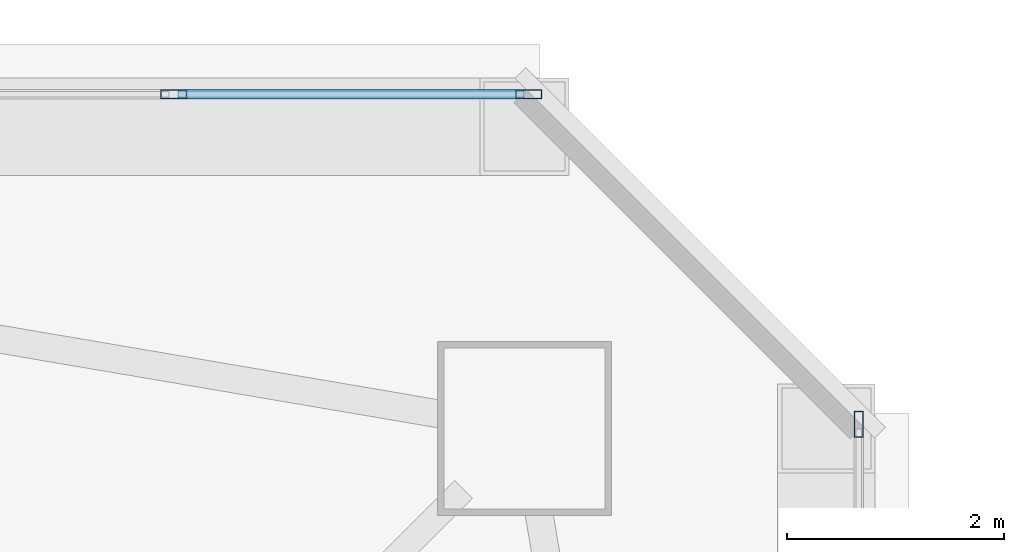
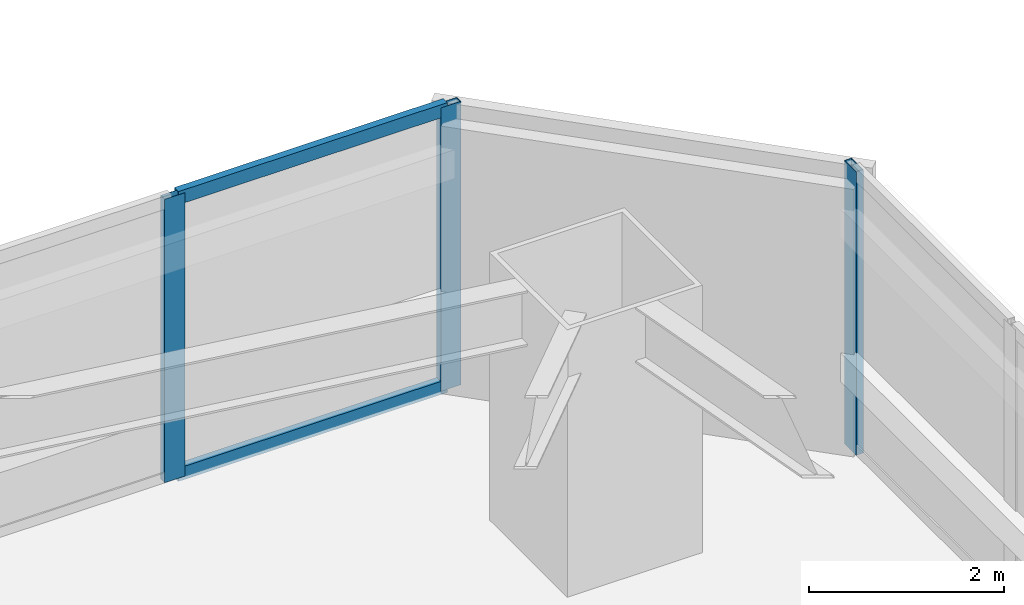
# One storey, part 30 of 75: 5 members, 2 elements without a shape of their own.
"""IFC4 building model written with IfcOpenShell, lengths in metres."""

from ifc_helpers import new_model, si_unit, direction, frame, origin, origin_2d, place, context, subcontext, project, spatial, hollow_rectangle, extrude, material, material_profile, profile_set, type_object, element, aggregate, save


model = new_model("IFC4")

# Units and contexts
model_context = context("Model", 3, precision=1e-05, world=origin(), true_north=direction((0.0, 1.0)))
body_context = subcontext(model_context, "Body", "Model", "MODEL_VIEW")
ifc_project = project(units=[si_unit("LENGTHUNIT", "METRE"), si_unit("AREAUNIT", "SQUARE_METRE"), si_unit("VOLUMEUNIT", "CUBIC_METRE"), si_unit("PLANEANGLEUNIT", "RADIAN"), si_unit("MASSUNIT", "GRAM", prefix="KILO")], contexts=[model_context])

# Site, building, storey
site_placement = place(None, origin())
site = spatial("IfcSite", under=ifc_project, at=site_placement, CompositionType="ELEMENT")
building_placement = place(site_placement, origin())
building = spatial("IfcBuilding", under=site, at=building_placement, Name="Tashvorn Skyway Center", CompositionType="ELEMENT")
storey_placement = place(building_placement, frame((0.0, 0.0, 45.89990234375)))
storey = spatial("IfcBuildingStorey", under=building, at=storey_placement, Name="L11", CompositionType="ELEMENT", Elevation=45.89990234375)

# Curtain wall, members
ifc_material = material(Name="Thermally broken bronze-anodized aluminium 6063-T6", Category="aluminium")
curtain_wall_type = type_object("IfcCurtainWallType", Name="CW-CW-Z1", PredefinedType="NOTDEFINED", material=ifc_material)
curtain_wall_1_placement = place(storey_placement, origin())
curtain_wall_1 = element("IfcCurtainWall", 1, at=curtain_wall_1_placement, inside=storey, type_object=curtain_wall_type, Name="Tower 1 L11 North Unitised Curtain Wall Glazing Group 3", PredefinedType="NOTDEFINED")
ifc_material_profile_1 = material_profile(ifc_material, hollow_rectangle(XDim=0.0849609375, YDim=0.239990234375, WallThickness=0.0048828125, at=origin_2d()), Name="ALU-MULL-85x240")
ifc_profile_set_1 = profile_set([ifc_material_profile_1], Name="Thermally broken bronze-anodized aluminium 6063-T6")
member_type_1 = type_object("IfcMemberType", Name="CWM-CW-Z1", PredefinedType="MULLION", material=ifc_profile_set_1)
member_1_placement = place(storey_placement, frame((58.566650390625, 54.8798828125, 0.0), z_axis=(0.0, 0.0, 1.0), x_axis=(0.0, 1.0, 0.0)))
member_1 = element("IfcMember", 2, at=member_1_placement, type_object=member_type_1, Name="CW-Z1 mullion 2", PredefinedType="MULLION", context=body_context, shape_type="SweptSolid", body=[
    extrude(hollow_rectangle(XDim=0.0849609375, YDim=0.239990234375, WallThickness=0.0048828125, at=origin_2d()), origin(), (0.0, 0.0, 1.0), 3.550048828125),
])
member_2_placement = place(storey_placement, frame((61.83740234375, 54.8798828125, 0.0), z_axis=(0.0, 0.0, 1.0), x_axis=(0.0, 1.0, 0.0)))
member_2 = element("IfcMember", 3, at=member_2_placement, type_object=member_type_1, Name="CW-Z1 mullion 3", PredefinedType="MULLION", context=body_context, shape_type="SweptSolid", body=[
    extrude(hollow_rectangle(XDim=0.0849609375, YDim=0.239990234375, WallThickness=0.0048828125, at=origin_2d()), origin(), (0.0, 0.0, 1.0), 3.550048828125),
])

# Curtain wall, member
curtain_wall_2_placement = place(storey_placement, origin())
curtain_wall_2 = element("IfcCurtainWall", 4, at=curtain_wall_2_placement, inside=storey, type_object=curtain_wall_type, Name="Tower 1 L11 East Unitised Curtain Wall Glazing Group 1", PredefinedType="NOTDEFINED")
member_3_placement = place(storey_placement, frame((64.8798828125, 51.83740234375, 0.0), z_axis=(0.0, 0.0, 1.0), x_axis=(1.0, 0.0, 0.0)))
member_3 = element("IfcMember", 5, at=member_3_placement, type_object=member_type_1, Name="CW-Z1 mullion 1", PredefinedType="MULLION", context=body_context, shape_type="SweptSolid", body=[
    extrude(hollow_rectangle(XDim=0.0849609375, YDim=0.239990234375, WallThickness=0.0048828125, at=origin_2d()), origin(), (0.0, 0.0, 1.0), 3.550048828125),
])
aggregate(curtain_wall_2, [member_3])

# Member
ifc_material_profile_2 = material_profile(ifc_material, hollow_rectangle(XDim=0.0849609375, YDim=0.1650390625, WallThickness=0.0048828125, at=origin_2d()), Name="ALU-TRAN-85x165")
ifc_profile_set_2 = profile_set([ifc_material_profile_2], Name="Thermally broken bronze-anodized aluminium 6063-T6")
member_type_2 = type_object("IfcMemberType", Name="CWT-CW-Z1", PredefinedType="USERDEFINED", material=ifc_profile_set_2)
member_4_placement = place(storey_placement, frame((58.609130859375, 54.8798828125, 0.04248046875), z_axis=(1.0, 0.0, 0.0), x_axis=(0.0, 1.0, 0.0)))
member_4 = element("IfcMember", 6, at=member_4_placement, type_object=member_type_2, Name="CW-Z1 transom 2.1", ObjectType="TRANSOM", PredefinedType="USERDEFINED", context=body_context, shape_type="SweptSolid", body=[
    extrude(hollow_rectangle(XDim=0.0849609375, YDim=0.1650390625, WallThickness=0.0048828125, at=origin_2d()), origin(), (0.0, 0.0, 1.0), 3.185791015625),
])

member_5_placement = place(storey_placement, frame((58.609130859375, 54.8798828125, 3.507568359375), z_axis=(1.0, 0.0, 0.0), x_axis=(0.0, 1.0, 0.0)))
member_5 = element("IfcMember", 7, at=member_5_placement, type_object=member_type_2, Name="CW-Z1 transom 2.2", ObjectType="TRANSOM", PredefinedType="USERDEFINED", context=body_context, shape_type="SweptSolid", body=[
    extrude(hollow_rectangle(XDim=0.0849609375, YDim=0.1650390625, WallThickness=0.0048828125, at=origin_2d()), origin(), (0.0, 0.0, 1.0), 3.185791015625),
])

aggregate(curtain_wall_1, [member_1, member_2, member_4, member_5])

save(model, "model.ifc")
